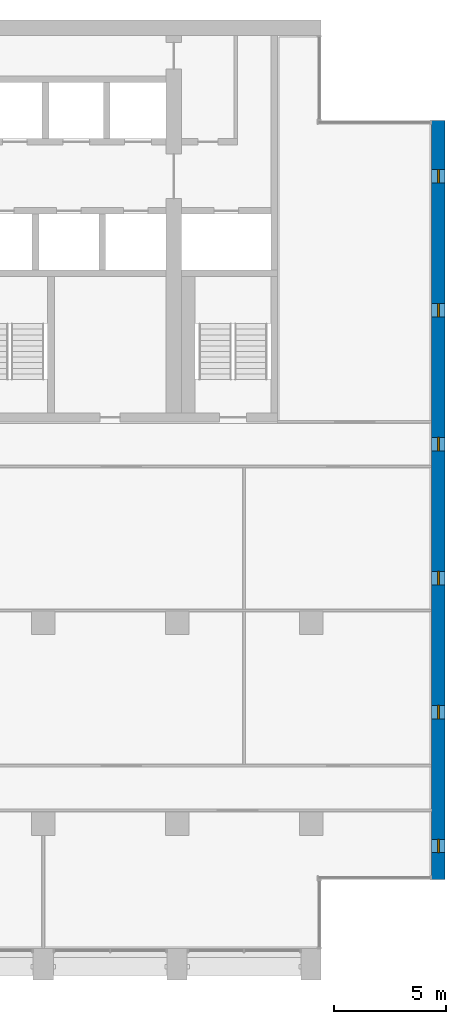
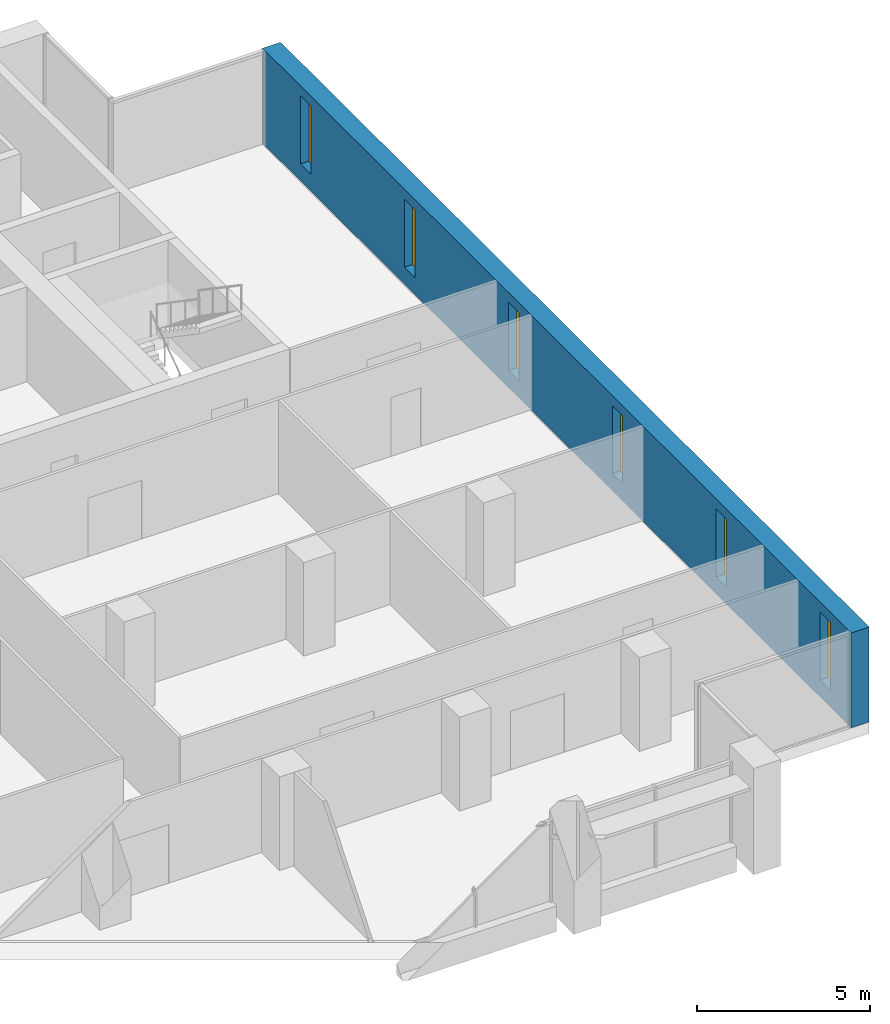
# One storey, part 12 of 17: 6 windows, 1 wall, 6 openings.
"""IFC4 building model written with IfcOpenShell, lengths in metres."""

from ifc_helpers import new_model, si_unit, direction, frame, frame_2d, origin, place, context, subcontext, project, spatial, rectangle, extrude, material, layer, layer_set, type_object, element, fill, save


model = new_model("IFC4")

# Units and contexts
model_context = context("Model", 3, precision=1e-05, world=origin(), true_north=direction((0.0, 1.0)))
body_context = subcontext(model_context, "Body", "Model", "MODEL_VIEW")
ifc_project = project(units=[si_unit("LENGTHUNIT", "METRE"), si_unit("AREAUNIT", "SQUARE_METRE"), si_unit("VOLUMEUNIT", "CUBIC_METRE"), si_unit("PLANEANGLEUNIT", "RADIAN"), si_unit("MASSUNIT", "GRAM", prefix="KILO")], contexts=[model_context])

# Site, building, storey
site_placement = place(None, origin())
site = spatial("IfcSite", under=ifc_project, at=site_placement, CompositionType="ELEMENT")
building_placement = place(site_placement, origin())
building = spatial("IfcBuilding", under=site, at=building_placement, Name="Calvaro Tower", CompositionType="ELEMENT")
storey_placement = place(building_placement, frame((0.0, 0.0, 208.0)))
storey = spatial("IfcBuildingStorey", under=building, at=storey_placement, Name="L52", CompositionType="ELEMENT", Elevation=208.0)

# Wall, openings, windows
ifc_material_1 = material(Name="Concrete C50/60", Category="concrete")
ifc_layer = layer(ifc_material_1, 0.60009765625)
ifc_layer_set = layer_set([ifc_layer], Name="Concrete C50/60")
wall_type = type_object("IfcWallType", Name="End wall 600 C50/60", PredefinedType="SHEAR", material=ifc_layer_set)
wall_placement = place(storey_placement, frame((71.699951171875, 7.5, 0.0), z_axis=(0.0, 0.0, 1.0), x_axis=(0.0, 1.0, 0.0)))
wall = element("IfcWall", 1, at=wall_placement, inside=storey, type_object=wall_type, Name="End shear wall", PredefinedType="SHEAR", context=body_context, shape_type="SweptSolid", body=[
    extrude(rectangle(XDim=34.0, YDim=0.60009765625, at=frame_2d((17.0, 0.0))), origin(), (0.0, 0.0, 1.0), 3.35009765625),
])
opening_1_placement = place(wall_placement, frame((1.199951171875, 0.0, 0.60009765625)))
opening_1 = element("IfcOpeningElement", 2, at=opening_1_placement, cuts=wall, Name="Opening WE01", PredefinedType="OPENING", context=body_context, shape_type="SweptSolid", body=[
    extrude(rectangle(XDim=0.60009765625, YDim=2.39990234375, at=frame_2d((0.300048828125, 1.199951171875))), frame((0.0, 0.31005859375, 0.0), z_axis=(0.0, -1.0, 0.0), x_axis=(1.0, 0.0, 0.0)), (0.0, 0.0, 1.0), 0.6201171875),
])
opening_2_placement = place(wall_placement, frame((7.199951171875, 0.0, 0.60009765625)))
opening_2 = element("IfcOpeningElement", 3, at=opening_2_placement, cuts=wall, Name="Opening WE02", PredefinedType="OPENING", context=body_context, shape_type="SweptSolid", body=[
    extrude(rectangle(XDim=0.60009765625, YDim=2.39990234375, at=frame_2d((0.300048828125, 1.199951171875))), frame((0.0, 0.31005859375, 0.0), z_axis=(0.0, -1.0, 0.0), x_axis=(1.0, 0.0, 0.0)), (0.0, 0.0, 1.0), 0.6201171875),
])
opening_3_placement = place(wall_placement, frame((13.199951171875, 0.0, 0.60009765625)))
opening_3 = element("IfcOpeningElement", 4, at=opening_3_placement, cuts=wall, Name="Opening WE03", PredefinedType="OPENING", context=body_context, shape_type="SweptSolid", body=[
    extrude(rectangle(XDim=0.60009765625, YDim=2.39990234375, at=frame_2d((0.300048828125, 1.199951171875))), frame((0.0, 0.31005859375, 0.0), z_axis=(0.0, -1.0, 0.0), x_axis=(1.0, 0.0, 0.0)), (0.0, 0.0, 1.0), 0.6201171875),
])
opening_4_placement = place(wall_placement, frame((19.199951171875, 0.0, 0.60009765625)))
opening_4 = element("IfcOpeningElement", 5, at=opening_4_placement, cuts=wall, Name="Opening WE04", PredefinedType="OPENING", context=body_context, shape_type="SweptSolid", body=[
    extrude(rectangle(XDim=0.60009765625, YDim=2.39990234375, at=frame_2d((0.300048828125, 1.199951171875))), frame((0.0, 0.31005859375, 0.0), z_axis=(0.0, -1.0, 0.0), x_axis=(1.0, 0.0, 0.0)), (0.0, 0.0, 1.0), 0.6201171875),
])
opening_5_placement = place(wall_placement, frame((25.199951171875, 0.0, 0.60009765625)))
opening_5 = element("IfcOpeningElement", 6, at=opening_5_placement, cuts=wall, Name="Opening WE05", PredefinedType="OPENING", context=body_context, shape_type="SweptSolid", body=[
    extrude(rectangle(XDim=0.60009765625, YDim=2.39990234375, at=frame_2d((0.300048828125, 1.199951171875))), frame((0.0, 0.31005859375, 0.0), z_axis=(0.0, -1.0, 0.0), x_axis=(1.0, 0.0, 0.0)), (0.0, 0.0, 1.0), 0.6201171875),
])
opening_6_placement = place(wall_placement, frame((31.199951171875, 0.0, 0.60009765625)))
opening_6 = element("IfcOpeningElement", 7, at=opening_6_placement, cuts=wall, Name="Opening WE06", PredefinedType="OPENING", context=body_context, shape_type="SweptSolid", body=[
    extrude(rectangle(XDim=0.60009765625, YDim=2.39990234375, at=frame_2d((0.300048828125, 1.199951171875))), frame((0.0, 0.31005859375, 0.0), z_axis=(0.0, -1.0, 0.0), x_axis=(1.0, 0.0, 0.0)), (0.0, 0.0, 1.0), 0.6201171875),
])
ifc_material_2 = material(Name="Glass", Category="glass")
window_type = type_object("IfcWindowType", Name="Slit window 600 x 2400", PartitioningType="SINGLE_PANEL", PredefinedType="WINDOW", material=ifc_material_2)
window_1_placement = place(opening_1_placement, origin())
window_1 = element("IfcWindow", 8, at=window_1_placement, inside=storey, type_object=window_type, Name="Window WE01", OverallHeight=2.39990234375, OverallWidth=0.60009765625, PartitioningType="SINGLE_PANEL", PredefinedType="WINDOW", context=body_context, shape_type="SweptSolid", body=[
    extrude(rectangle(XDim=0.60009765625, YDim=2.39990234375, at=frame_2d((0.300048828125, 1.199951171875))), frame((0.0, 0.030029296875, 0.0), z_axis=(0.0, -1.0, 0.0), x_axis=(1.0, 0.0, 0.0)), (0.0, 0.0, 1.0), 0.06005859375),
])
fill(opening_1, window_1)
window_2_placement = place(opening_2_placement, origin())
window_2 = element("IfcWindow", 9, at=window_2_placement, inside=storey, type_object=window_type, Name="Window WE02", OverallHeight=2.39990234375, OverallWidth=0.60009765625, PartitioningType="SINGLE_PANEL", PredefinedType="WINDOW", context=body_context, shape_type="SweptSolid", body=[
    extrude(rectangle(XDim=0.60009765625, YDim=2.39990234375, at=frame_2d((0.300048828125, 1.199951171875))), frame((0.0, 0.030029296875, 0.0), z_axis=(0.0, -1.0, 0.0), x_axis=(1.0, 0.0, 0.0)), (0.0, 0.0, 1.0), 0.06005859375),
])
fill(opening_2, window_2)
window_3_placement = place(opening_3_placement, origin())
window_3 = element("IfcWindow", 10, at=window_3_placement, inside=storey, type_object=window_type, Name="Window WE03", OverallHeight=2.39990234375, OverallWidth=0.60009765625, PartitioningType="SINGLE_PANEL", PredefinedType="WINDOW", context=body_context, shape_type="SweptSolid", body=[
    extrude(rectangle(XDim=0.60009765625, YDim=2.39990234375, at=frame_2d((0.300048828125, 1.199951171875))), frame((0.0, 0.030029296875, 0.0), z_axis=(0.0, -1.0, 0.0), x_axis=(1.0, 0.0, 0.0)), (0.0, 0.0, 1.0), 0.06005859375),
])
fill(opening_3, window_3)
window_4_placement = place(opening_4_placement, origin())
window_4 = element("IfcWindow", 11, at=window_4_placement, inside=storey, type_object=window_type, Name="Window WE04", OverallHeight=2.39990234375, OverallWidth=0.60009765625, PartitioningType="SINGLE_PANEL", PredefinedType="WINDOW", context=body_context, shape_type="SweptSolid", body=[
    extrude(rectangle(XDim=0.60009765625, YDim=2.39990234375, at=frame_2d((0.300048828125, 1.199951171875))), frame((0.0, 0.030029296875, 0.0), z_axis=(0.0, -1.0, 0.0), x_axis=(1.0, 0.0, 0.0)), (0.0, 0.0, 1.0), 0.06005859375),
])
fill(opening_4, window_4)
window_5_placement = place(opening_5_placement, origin())
window_5 = element("IfcWindow", 12, at=window_5_placement, inside=storey, type_object=window_type, Name="Window WE05", OverallHeight=2.39990234375, OverallWidth=0.60009765625, PartitioningType="SINGLE_PANEL", PredefinedType="WINDOW", context=body_context, shape_type="SweptSolid", body=[
    extrude(rectangle(XDim=0.60009765625, YDim=2.39990234375, at=frame_2d((0.300048828125, 1.199951171875))), frame((0.0, 0.030029296875, 0.0), z_axis=(0.0, -1.0, 0.0), x_axis=(1.0, 0.0, 0.0)), (0.0, 0.0, 1.0), 0.06005859375),
])
fill(opening_5, window_5)
window_6_placement = place(opening_6_placement, origin())
window_6 = element("IfcWindow", 13, at=window_6_placement, inside=storey, type_object=window_type, Name="Window WE06", OverallHeight=2.39990234375, OverallWidth=0.60009765625, PartitioningType="SINGLE_PANEL", PredefinedType="WINDOW", context=body_context, shape_type="SweptSolid", body=[
    extrude(rectangle(XDim=0.60009765625, YDim=2.39990234375, at=frame_2d((0.300048828125, 1.199951171875))), frame((0.0, 0.030029296875, 0.0), z_axis=(0.0, -1.0, 0.0), x_axis=(1.0, 0.0, 0.0)), (0.0, 0.0, 1.0), 0.06005859375),
])
fill(opening_6, window_6)

save(model, "model.ifc")
